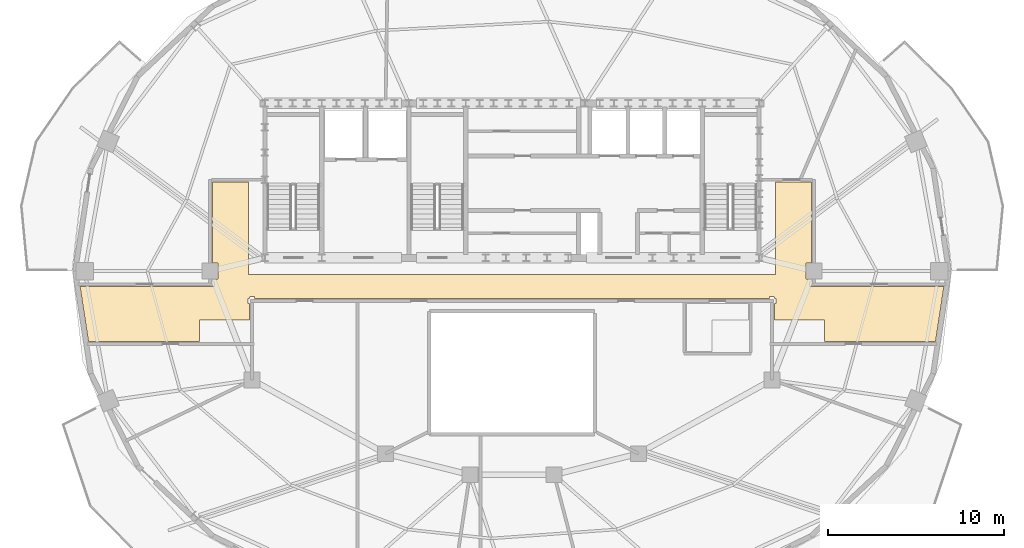
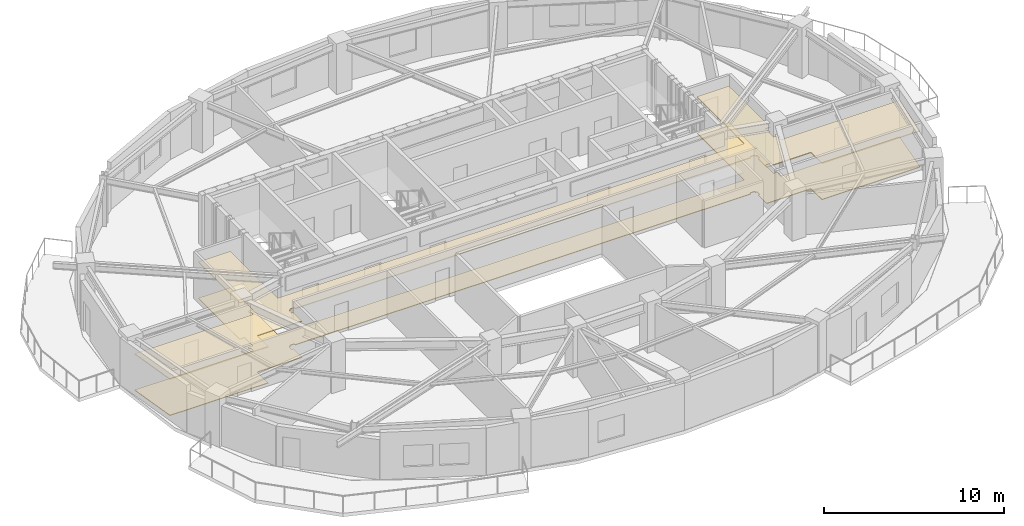
# One storey, part 8 of 10: 2 coverings.
"""IFC4 building model written with IfcOpenShell, lengths in metres."""

from ifc_helpers import new_model, si_unit, direction, frame, origin, place, context, subcontext, project, spatial, polyline, outline, extrude, material, layer, layer_set, type_object, element, save


model = new_model("IFC4")

# Units and contexts
model_context = context("Model", 3, precision=1e-05, world=origin(), true_north=direction((0.0, 1.0)))
body_context = subcontext(model_context, "Body", "Model", "MODEL_VIEW")
ifc_project = project(units=[si_unit("LENGTHUNIT", "METRE"), si_unit("AREAUNIT", "SQUARE_METRE"), si_unit("VOLUMEUNIT", "CUBIC_METRE"), si_unit("PLANEANGLEUNIT", "RADIAN"), si_unit("MASSUNIT", "GRAM", prefix="KILO")], contexts=[model_context])

# Site, building, storey
site_placement = place(None, origin())
site = spatial("IfcSite", under=ifc_project, at=site_placement, CompositionType="ELEMENT")
building_placement = place(site_placement, origin())
building = spatial("IfcBuilding", under=site, at=building_placement, Name="Haldorwick Loom Tower", CompositionType="ELEMENT")
storey_placement = place(building_placement, frame((0.0, 0.0, 259.199951171875)))
storey = spatial("IfcBuildingStorey", under=building, at=storey_placement, Name="L70", CompositionType="ELEMENT", Elevation=259.199951171875)

# Coverings
ifc_material_1 = material(Name="Mineral Fibre Acoustic Ceiling Tile")
ifc_layer_1 = layer(ifc_material_1, 0.054931640625, Name="Mineral Fibre Acoustic Ceiling Tile")
ifc_layer_set_1 = layer_set([ifc_layer_1], Name="Mineral Fibre Acoustic Ceiling Tile")
covering_type_1 = type_object("IfcCoveringType", Name="ARC-COV-CEIL2", PredefinedType="CEILING", material=ifc_layer_set_1)
covering_1_placement = place(storey_placement, frame((0.0, 0.0, 2.458984375)))
element("IfcCovering", 1, at=covering_1_placement, inside=storey, type_object=covering_type_1, Name="L70 Acoustic Suspended Ceiling 1", PredefinedType="CEILING", context=body_context, shape_type="SweptSolid", body=[
    extrude(outline(polyline([(11.88037109375, 21.989990234375), (18.199951171875, 21.989990234375), (18.199951171875, 23.199951171875), (21.06005859375, 23.199951171875), (21.06005859375, 24.159912109375), (20.97998046875, 24.159912109375), (20.97802734375, 24.16015625), (20.97607421875, 24.160400390625), (20.97412109375, 24.160888671875), (20.972412109375, 24.16162109375), (20.970703125, 24.162353515625), (20.968994140625, 24.163330078125), (20.96728515625, 24.16455078125), (20.9658203125, 24.166015625), (20.964599609375, 24.167236328125), (20.96337890625, 24.1689453125), (20.96240234375, 24.170654296875), (20.96142578125, 24.17236328125), (20.9609375, 24.17431640625), (20.96044921875, 24.176025390625), (20.960205078125, 24.177978515625), (20.9599609375, 24.179931640625), (20.9599609375, 24.419921875), (20.960205078125, 24.422119140625), (20.96044921875, 24.423828125), (20.9609375, 24.42578125), (20.96142578125, 24.427734375), (20.96240234375, 24.429443359375), (20.96337890625, 24.43115234375), (20.964599609375, 24.4326171875), (20.9658203125, 24.43408203125), (20.96728515625, 24.435546875), (20.968994140625, 24.4365234375), (20.970703125, 24.4375), (20.972412109375, 24.4384765625), (20.97412109375, 24.439208984375), (20.97607421875, 24.439697265625), (20.97802734375, 24.43994140625), (20.97998046875, 24.43994140625), (21.06005859375, 24.43994140625), (21.06005859375, 24.52001953125), (21.06005859375, 24.52197265625), (21.060302734375, 24.52392578125), (21.060791015625, 24.52587890625), (21.0615234375, 24.527587890625), (21.0625, 24.529296875), (21.0634765625, 24.531005859375), (21.064453125, 24.53271484375), (21.06591796875, 24.5341796875), (21.0673828125, 24.535400390625), (21.06884765625, 24.53662109375), (21.070556640625, 24.53759765625), (21.072265625, 24.53857421875), (21.07421875, 24.5390625), (21.076171875, 24.53955078125), (21.077880859375, 24.539794921875), (21.080078125, 24.5400390625), (21.320068359375, 24.5400390625), (21.322021484375, 24.539794921875), (21.323974609375, 24.53955078125), (21.32568359375, 24.5390625), (21.32763671875, 24.53857421875), (21.329345703125, 24.53759765625), (21.3310546875, 24.53662109375), (21.332763671875, 24.535400390625), (21.333984375, 24.5341796875), (21.33544921875, 24.53271484375), (21.336669921875, 24.531005859375), (21.337646484375, 24.529296875), (21.33837890625, 24.527587890625), (21.339111328125, 24.52587890625), (21.339599609375, 24.52392578125), (21.33984375, 24.52197265625), (21.340087890625, 24.52001953125), (21.340087890625, 24.43994140625), (50.659912109375, 24.43994140625), (50.659912109375, 24.52001953125), (50.66015625, 24.52197265625), (50.660400390625, 24.52392578125), (50.660888671875, 24.52587890625), (50.66162109375, 24.527587890625), (50.662353515625, 24.529296875), (50.663330078125, 24.531005859375), (50.66455078125, 24.53271484375), (50.666015625, 24.5341796875), (50.667236328125, 24.535400390625), (50.6689453125, 24.53662109375), (50.670654296875, 24.53759765625), (50.67236328125, 24.53857421875), (50.67431640625, 24.5390625), (50.676025390625, 24.53955078125), (50.677978515625, 24.539794921875), (50.679931640625, 24.5400390625), (50.919921875, 24.5400390625), (50.922119140625, 24.539794921875), (50.923828125, 24.53955078125), (50.92578125, 24.5390625), (50.927734375, 24.53857421875), (50.929443359375, 24.53759765625), (50.93115234375, 24.53662109375), (50.9326171875, 24.535400390625), (50.93408203125, 24.5341796875), (50.935546875, 24.53271484375), (50.9365234375, 24.531005859375), (50.9375, 24.529296875), (50.9384765625, 24.527587890625), (50.939208984375, 24.52587890625), (50.939697265625, 24.52392578125), (50.93994140625, 24.52197265625), (50.93994140625, 24.52001953125), (50.93994140625, 24.43994140625), (51.02001953125, 24.43994140625), (51.02197265625, 24.43994140625), (51.02392578125, 24.439697265625), (51.02587890625, 24.439208984375), (51.027587890625, 24.4384765625), (51.029296875, 24.4375), (51.031005859375, 24.4365234375), (51.03271484375, 24.435546875), (51.0341796875, 24.43408203125), (51.035400390625, 24.4326171875), (51.03662109375, 24.43115234375), (51.03759765625, 24.429443359375), (51.03857421875, 24.427734375), (51.0390625, 24.42578125), (51.03955078125, 24.423828125), (51.039794921875, 24.422119140625), (51.0400390625, 24.419921875), (51.0400390625, 24.179931640625), (51.039794921875, 24.177978515625), (51.03955078125, 24.176025390625), (51.0390625, 24.17431640625), (51.03857421875, 24.17236328125), (51.03759765625, 24.170654296875), (51.03662109375, 24.1689453125), (51.035400390625, 24.167236328125), (51.0341796875, 24.166015625), (51.03271484375, 24.16455078125), (51.031005859375, 24.163330078125), (51.029296875, 24.162353515625), (51.027587890625, 24.16162109375), (51.02587890625, 24.160888671875), (51.02392578125, 24.160400390625), (51.02197265625, 24.16015625), (51.02001953125, 24.159912109375), (50.93994140625, 24.159912109375), (50.93994140625, 23.199951171875), (53.800048828125, 23.199951171875), (53.800048828125, 21.989990234375), (60.11962890625, 21.989990234375), (60.594482421875, 25.110107421875), (52.97998046875, 25.110107421875), (52.97802734375, 25.110107421875), (52.97607421875, 25.1103515625), (52.97412109375, 25.11083984375), (52.972412109375, 25.111572265625), (52.970703125, 25.1123046875), (52.968994140625, 25.11328125), (52.96728515625, 25.114501953125), (52.9658203125, 25.115966796875), (52.964599609375, 25.1171875), (52.96337890625, 25.118896484375), (52.96240234375, 25.12060546875), (52.96142578125, 25.122314453125), (52.9609375, 25.124267578125), (52.96044921875, 25.126220703125), (52.960205078125, 25.1279296875), (52.9599609375, 25.1298828125), (52.9599609375, 25.3701171875), (52.960205078125, 25.3720703125), (52.96044921875, 25.373779296875), (52.9609375, 25.375732421875), (52.96142578125, 25.377685546875), (52.96240234375, 25.37939453125), (52.96337890625, 25.381103515625), (52.964599609375, 25.3828125), (52.9658203125, 25.384033203125), (52.96728515625, 25.385498046875), (52.968994140625, 25.38671875), (52.970703125, 25.3876953125), (52.972412109375, 25.388427734375), (52.97412109375, 25.38916015625), (52.97607421875, 25.3896484375), (52.97802734375, 25.389892578125), (52.97998046875, 25.389892578125), (53.06005859375, 25.389892578125), (53.06005859375, 25.5419921875), (52.741943359375, 25.5419921875), (52.741943359375, 26.4580078125), (53.06005859375, 26.4580078125), (53.06005859375, 31.06005859375), (51.0, 31.06005859375), (51.0, 25.800048828125), (21.0, 25.800048828125), (21.0, 31.06005859375), (18.93994140625, 31.06005859375), (18.93994140625, 26.4580078125), (19.258056640625, 26.4580078125), (19.258056640625, 25.5419921875), (18.93994140625, 25.5419921875), (18.93994140625, 25.389892578125), (19.02001953125, 25.389892578125), (19.02197265625, 25.389892578125), (19.02392578125, 25.3896484375), (19.02587890625, 25.38916015625), (19.027587890625, 25.388427734375), (19.029296875, 25.3876953125), (19.031005859375, 25.38671875), (19.03271484375, 25.385498046875), (19.0341796875, 25.384033203125), (19.035400390625, 25.3828125), (19.03662109375, 25.381103515625), (19.03759765625, 25.37939453125), (19.03857421875, 25.377685546875), (19.0390625, 25.375732421875), (19.03955078125, 25.373779296875), (19.039794921875, 25.3720703125), (19.0400390625, 25.3701171875), (19.0400390625, 25.1298828125), (19.039794921875, 25.1279296875), (19.03955078125, 25.126220703125), (19.0390625, 25.124267578125), (19.03857421875, 25.122314453125), (19.03759765625, 25.12060546875), (19.03662109375, 25.118896484375), (19.035400390625, 25.1171875), (19.0341796875, 25.115966796875), (19.03271484375, 25.114501953125), (19.031005859375, 25.11328125), (19.029296875, 25.1123046875), (19.027587890625, 25.111572265625), (19.02587890625, 25.11083984375), (19.02392578125, 25.1103515625), (19.02197265625, 25.110107421875), (19.02001953125, 25.110107421875), (11.405517578125, 25.110107421875), (11.88037109375, 21.989990234375)])), origin(), (0.0, 0.0, 1.0), 0.05517578125),
])
ifc_material_2 = material(Name="Polished Aggregate Terrazzo Finish")
ifc_layer_2 = layer(ifc_material_2, 0.044921875, Name="Polished Aggregate Terrazzo Finish")
ifc_layer_set_2 = layer_set([ifc_layer_2], Name="Polished Aggregate Terrazzo Finish")
covering_type_2 = type_object("IfcCoveringType", Name="ARC-COV-FLOOR2", PredefinedType="FLOORING", material=ifc_layer_set_2)
covering_2_placement = place(storey_placement, origin())
element("IfcCovering", 2, at=covering_2_placement, inside=storey, type_object=covering_type_2, Name="L70 Floor Finish 1", PredefinedType="FLOORING", context=body_context, shape_type="SweptSolid", body=[
    extrude(outline(polyline([(11.88037109375, 21.989990234375), (18.199951171875, 21.989990234375), (18.199951171875, 23.199951171875), (21.06005859375, 23.199951171875), (21.06005859375, 24.159912109375), (20.97998046875, 24.159912109375), (20.97802734375, 24.16015625), (20.97607421875, 24.160400390625), (20.97412109375, 24.160888671875), (20.972412109375, 24.16162109375), (20.970703125, 24.162353515625), (20.968994140625, 24.163330078125), (20.96728515625, 24.16455078125), (20.9658203125, 24.166015625), (20.964599609375, 24.167236328125), (20.96337890625, 24.1689453125), (20.96240234375, 24.170654296875), (20.96142578125, 24.17236328125), (20.9609375, 24.17431640625), (20.96044921875, 24.176025390625), (20.960205078125, 24.177978515625), (20.9599609375, 24.179931640625), (20.9599609375, 24.419921875), (20.960205078125, 24.422119140625), (20.96044921875, 24.423828125), (20.9609375, 24.42578125), (20.96142578125, 24.427734375), (20.96240234375, 24.429443359375), (20.96337890625, 24.43115234375), (20.964599609375, 24.4326171875), (20.9658203125, 24.43408203125), (20.96728515625, 24.435546875), (20.968994140625, 24.4365234375), (20.970703125, 24.4375), (20.972412109375, 24.4384765625), (20.97412109375, 24.439208984375), (20.97607421875, 24.439697265625), (20.97802734375, 24.43994140625), (20.97998046875, 24.43994140625), (21.06005859375, 24.43994140625), (21.06005859375, 24.52001953125), (21.06005859375, 24.52197265625), (21.060302734375, 24.52392578125), (21.060791015625, 24.52587890625), (21.0615234375, 24.527587890625), (21.0625, 24.529296875), (21.0634765625, 24.531005859375), (21.064453125, 24.53271484375), (21.06591796875, 24.5341796875), (21.0673828125, 24.535400390625), (21.06884765625, 24.53662109375), (21.070556640625, 24.53759765625), (21.072265625, 24.53857421875), (21.07421875, 24.5390625), (21.076171875, 24.53955078125), (21.077880859375, 24.539794921875), (21.080078125, 24.5400390625), (21.320068359375, 24.5400390625), (21.322021484375, 24.539794921875), (21.323974609375, 24.53955078125), (21.32568359375, 24.5390625), (21.32763671875, 24.53857421875), (21.329345703125, 24.53759765625), (21.3310546875, 24.53662109375), (21.332763671875, 24.535400390625), (21.333984375, 24.5341796875), (21.33544921875, 24.53271484375), (21.336669921875, 24.531005859375), (21.337646484375, 24.529296875), (21.33837890625, 24.527587890625), (21.339111328125, 24.52587890625), (21.339599609375, 24.52392578125), (21.33984375, 24.52197265625), (21.340087890625, 24.52001953125), (21.340087890625, 24.43994140625), (50.659912109375, 24.43994140625), (50.659912109375, 24.52001953125), (50.66015625, 24.52197265625), (50.660400390625, 24.52392578125), (50.660888671875, 24.52587890625), (50.66162109375, 24.527587890625), (50.662353515625, 24.529296875), (50.663330078125, 24.531005859375), (50.66455078125, 24.53271484375), (50.666015625, 24.5341796875), (50.667236328125, 24.535400390625), (50.6689453125, 24.53662109375), (50.670654296875, 24.53759765625), (50.67236328125, 24.53857421875), (50.67431640625, 24.5390625), (50.676025390625, 24.53955078125), (50.677978515625, 24.539794921875), (50.679931640625, 24.5400390625), (50.919921875, 24.5400390625), (50.922119140625, 24.539794921875), (50.923828125, 24.53955078125), (50.92578125, 24.5390625), (50.927734375, 24.53857421875), (50.929443359375, 24.53759765625), (50.93115234375, 24.53662109375), (50.9326171875, 24.535400390625), (50.93408203125, 24.5341796875), (50.935546875, 24.53271484375), (50.9365234375, 24.531005859375), (50.9375, 24.529296875), (50.9384765625, 24.527587890625), (50.939208984375, 24.52587890625), (50.939697265625, 24.52392578125), (50.93994140625, 24.52197265625), (50.93994140625, 24.52001953125), (50.93994140625, 24.43994140625), (51.02001953125, 24.43994140625), (51.02197265625, 24.43994140625), (51.02392578125, 24.439697265625), (51.02587890625, 24.439208984375), (51.027587890625, 24.4384765625), (51.029296875, 24.4375), (51.031005859375, 24.4365234375), (51.03271484375, 24.435546875), (51.0341796875, 24.43408203125), (51.035400390625, 24.4326171875), (51.03662109375, 24.43115234375), (51.03759765625, 24.429443359375), (51.03857421875, 24.427734375), (51.0390625, 24.42578125), (51.03955078125, 24.423828125), (51.039794921875, 24.422119140625), (51.0400390625, 24.419921875), (51.0400390625, 24.179931640625), (51.039794921875, 24.177978515625), (51.03955078125, 24.176025390625), (51.0390625, 24.17431640625), (51.03857421875, 24.17236328125), (51.03759765625, 24.170654296875), (51.03662109375, 24.1689453125), (51.035400390625, 24.167236328125), (51.0341796875, 24.166015625), (51.03271484375, 24.16455078125), (51.031005859375, 24.163330078125), (51.029296875, 24.162353515625), (51.027587890625, 24.16162109375), (51.02587890625, 24.160888671875), (51.02392578125, 24.160400390625), (51.02197265625, 24.16015625), (51.02001953125, 24.159912109375), (50.93994140625, 24.159912109375), (50.93994140625, 23.199951171875), (53.800048828125, 23.199951171875), (53.800048828125, 21.989990234375), (60.11962890625, 21.989990234375), (60.594482421875, 25.110107421875), (52.97998046875, 25.110107421875), (52.97802734375, 25.110107421875), (52.97607421875, 25.1103515625), (52.97412109375, 25.11083984375), (52.972412109375, 25.111572265625), (52.970703125, 25.1123046875), (52.968994140625, 25.11328125), (52.96728515625, 25.114501953125), (52.9658203125, 25.115966796875), (52.964599609375, 25.1171875), (52.96337890625, 25.118896484375), (52.96240234375, 25.12060546875), (52.96142578125, 25.122314453125), (52.9609375, 25.124267578125), (52.96044921875, 25.126220703125), (52.960205078125, 25.1279296875), (52.9599609375, 25.1298828125), (52.9599609375, 25.3701171875), (52.960205078125, 25.3720703125), (52.96044921875, 25.373779296875), (52.9609375, 25.375732421875), (52.96142578125, 25.377685546875), (52.96240234375, 25.37939453125), (52.96337890625, 25.381103515625), (52.964599609375, 25.3828125), (52.9658203125, 25.384033203125), (52.96728515625, 25.385498046875), (52.968994140625, 25.38671875), (52.970703125, 25.3876953125), (52.972412109375, 25.388427734375), (52.97412109375, 25.38916015625), (52.97607421875, 25.3896484375), (52.97802734375, 25.389892578125), (52.97998046875, 25.389892578125), (53.06005859375, 25.389892578125), (53.06005859375, 25.5419921875), (52.741943359375, 25.5419921875), (52.741943359375, 26.4580078125), (53.06005859375, 26.4580078125), (53.06005859375, 31.06005859375), (51.0, 31.06005859375), (51.0, 25.800048828125), (21.0, 25.800048828125), (21.0, 31.06005859375), (18.93994140625, 31.06005859375), (18.93994140625, 26.4580078125), (19.258056640625, 26.4580078125), (19.258056640625, 25.5419921875), (18.93994140625, 25.5419921875), (18.93994140625, 25.389892578125), (19.02001953125, 25.389892578125), (19.02197265625, 25.389892578125), (19.02392578125, 25.3896484375), (19.02587890625, 25.38916015625), (19.027587890625, 25.388427734375), (19.029296875, 25.3876953125), (19.031005859375, 25.38671875), (19.03271484375, 25.385498046875), (19.0341796875, 25.384033203125), (19.035400390625, 25.3828125), (19.03662109375, 25.381103515625), (19.03759765625, 25.37939453125), (19.03857421875, 25.377685546875), (19.0390625, 25.375732421875), (19.03955078125, 25.373779296875), (19.039794921875, 25.3720703125), (19.0400390625, 25.3701171875), (19.0400390625, 25.1298828125), (19.039794921875, 25.1279296875), (19.03955078125, 25.126220703125), (19.0390625, 25.124267578125), (19.03857421875, 25.122314453125), (19.03759765625, 25.12060546875), (19.03662109375, 25.118896484375), (19.035400390625, 25.1171875), (19.0341796875, 25.115966796875), (19.03271484375, 25.114501953125), (19.031005859375, 25.11328125), (19.029296875, 25.1123046875), (19.027587890625, 25.111572265625), (19.02587890625, 25.11083984375), (19.02392578125, 25.1103515625), (19.02197265625, 25.110107421875), (19.02001953125, 25.110107421875), (11.405517578125, 25.110107421875), (11.88037109375, 21.989990234375)])), origin(), (0.0, 0.0, 1.0), 0.045166015625),
])

save(model, "model.ifc")
